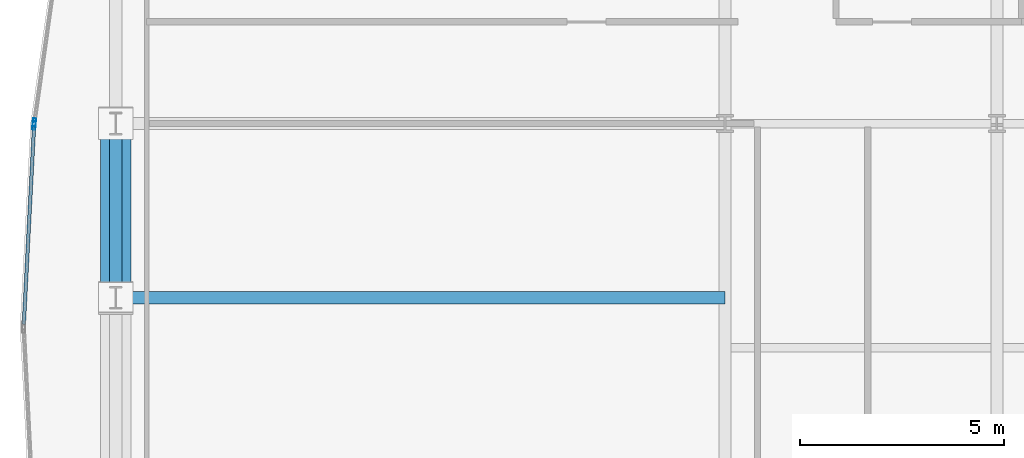
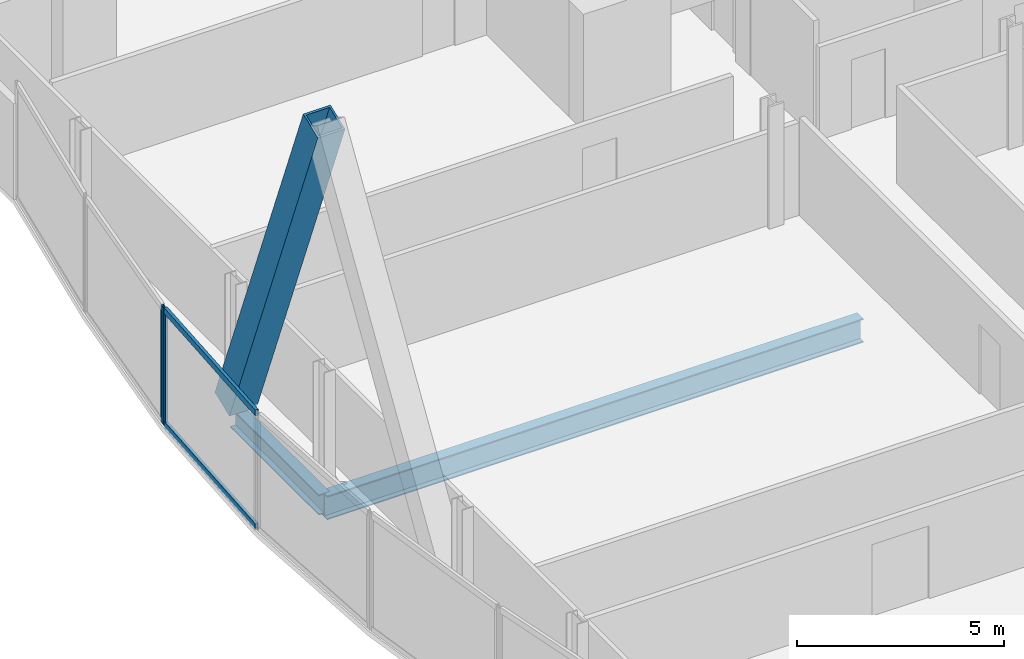
# One storey, part 11 of 33: 5 members, 2 beams, 2 elements without a shape of their own.
"""IFC4 building model written with IfcOpenShell, lengths in metres."""

import ifcopenshell
import ifcopenshell.guid

model = None  # the IFC model being written
_history = None  # IfcOwnerHistory: only IFC2X3 demands one
_inside = {}  # id of a spatial element -> (the spatial element, [elements in it])
_under = {}  # id of a project, library or spatial element -> (it, [spatial elements below it])
_declared = {}  # id of a project -> (the project, [libraries it declares])
_typed = {}  # id of a type object -> (the type object, [elements of that type])
_made_of = {}  # id of a material, layer set ... -> (it, [elements and type objects made of it])


def new_model(schema):
    """Start an empty IFC model of exactly this schema.

    Asked for "IFC4X3", IfcOpenShell would pick the latest addendum, in which some entities
    have other attributes; the version numbers below select the first issue.
    IFC2X3 requires an IfcOwnerHistory on every rooted entity: one is made here for all.
    """
    global model, _history
    if schema == "IFC4X3":
        model = ifcopenshell.file(schema_version=(4, 3, 0, 0))
    else:
        model = ifcopenshell.file(schema=schema)
    _inside.clear()
    _under.clear()
    _declared.clear()
    _typed.clear()
    _made_of.clear()
    _history = None
    if model.schema == "IFC2X3":
        org = make("IfcOrganization", Name="unknown")
        user = make(
            "IfcPersonAndOrganization",
            ThePerson=make("IfcPerson", FamilyName="unknown"),
            TheOrganization=org,
        )
        app = make(
            "IfcApplication",
            ApplicationDeveloper=org,
            Version="unknown",
            ApplicationFullName="unknown",
            ApplicationIdentifier="unknown",
        )
        _history = make(
            "IfcOwnerHistory",
            OwningUser=user,
            OwningApplication=app,
            ChangeAction="ADDED",
            CreationDate=0,
        )
    return model


def make(cls, **values):
    """One entity of the class cls with the attributes given. An attribute that is None is left unset."""
    return model.create_entity(
        cls, **{name: value for name, value in values.items() if value is not None}
    )


def rooted(cls, **values):
    """An entity with a GlobalId (a new one), such as an element, a storey or a relation."""
    return make(cls, GlobalId=ifcopenshell.guid.new(), OwnerHistory=_history, **values)


def si_unit(unit_type, name, prefix=None):
    """IfcSIUnit, for example si_unit("LENGTHUNIT", "METRE", prefix="MILLI")."""
    return make("IfcSIUnit", UnitType=unit_type, Prefix=prefix, Name=name)


def assignment(units):
    """IfcUnitAssignment: the units of a project."""
    return None if units is None else make("IfcUnitAssignment", Units=units)


def point(xyz):
    """IfcCartesianPoint."""
    return None if xyz is None else make("IfcCartesianPoint", Coordinates=xyz)


def direction(xyz):
    """IfcDirection."""
    return None if xyz is None else make("IfcDirection", DirectionRatios=xyz)


def frame(location, z_axis=None, x_axis=None):
    """IfcAxis2Placement3D, a coordinate frame: its origin and axes. An axis left out is left unset."""
    return make(
        "IfcAxis2Placement3D",
        Location=point(location),
        Axis=direction(z_axis),
        RefDirection=direction(x_axis),
    )


def frame_2d(location, x_axis=None):
    """IfcAxis2Placement2D, a coordinate frame in the plane: its origin and x axis."""
    return make(
        "IfcAxis2Placement2D", Location=point(location), RefDirection=direction(x_axis)
    )


def origin():
    """The frame at (0, 0, 0) with its axes left unset."""
    return frame((0.0, 0.0, 0.0))


def origin_2d():
    """The frame at (0, 0) in the plane with its x axis left unset."""
    return frame_2d((0.0, 0.0))


def place(relative_to, where):
    """IfcLocalPlacement: puts the frame where relative to a parent placement (None: the world)."""
    return make(
        "IfcLocalPlacement", PlacementRelTo=relative_to, RelativePlacement=where
    )


def context(
    kind, dimensions, precision=None, world=None, true_north=None, identifier=None
):
    """IfcGeometricRepresentationContext, for example the 3D "Model" context."""
    return make(
        "IfcGeometricRepresentationContext",
        ContextIdentifier=identifier,
        ContextType=kind,
        CoordinateSpaceDimension=dimensions,
        Precision=precision,
        WorldCoordinateSystem=world,
        TrueNorth=true_north,
    )


def subcontext(parent, identifier, kind, view, scale=None):
    """IfcGeometricRepresentationSubContext, for example "Body" below "Model"."""
    return make(
        "IfcGeometricRepresentationSubContext",
        ContextIdentifier=identifier,
        ContextType=kind,
        ParentContext=parent,
        TargetScale=scale,
        TargetView=view,
    )


def project(units=None, contexts=None):
    """IfcProject with its units and contexts."""
    return rooted(
        "IfcProject",
        Name="project",
        RepresentationContexts=contexts,
        UnitsInContext=assignment(units),
    )


def spatial(cls, under=None, at=None, **own):
    """A site, building, storey or space (cls), placed at a placement, below another one or the project."""
    s = rooted(cls, ObjectPlacement=at, **own)
    if under is not None:
        _under.setdefault(under.id(), (under, []))[1].append(s)
    return s


def profile(cls, at=None, kind="AREA", **sizes):
    """A parametric profile (cls). Its sizes go by their IFC names, for example OverallWidth=200.0."""
    return make(cls, ProfileType=kind, Position=at, **sizes)


def hollow_rectangle(**sizes):
    """IfcRectangleHollowProfileDef."""
    return profile("IfcRectangleHollowProfileDef", **sizes)


def i_section(**sizes):
    """IfcIShapeProfileDef."""
    return profile("IfcIShapeProfileDef", **sizes)


def extrude(swept, where, along, depth):
    """IfcExtrudedAreaSolid: the profile swept, set in the frame where, extruded along a direction by depth."""
    return make(
        "IfcExtrudedAreaSolid",
        SweptArea=swept,
        Position=where,
        ExtrudedDirection=direction(along),
        Depth=depth,
    )


def shape(context_of_items, identifier, shape_type, items):
    """IfcShapeRepresentation: the items that make up one representation, for example the "Body"."""
    return make(
        "IfcShapeRepresentation",
        ContextOfItems=context_of_items,
        RepresentationIdentifier=identifier,
        RepresentationType=shape_type,
        Items=items,
    )


def material(Name=None, Category=None):
    """IfcMaterial."""
    return make("IfcMaterial", Name=Name, Category=Category)


def material_profile(
    of_material, cross_section, Name=None, Category=None, Priority=None
):
    """IfcMaterialProfile: a cross section and its material."""
    return make(
        "IfcMaterialProfile",
        Name=Name,
        Material=of_material,
        Profile=cross_section,
        Priority=Priority,
        Category=Category,
    )


def profile_set(profiles, Name=None, composite=None):
    """IfcMaterialProfileSet."""
    return make(
        "IfcMaterialProfileSet",
        Name=Name,
        MaterialProfiles=profiles,
        CompositeProfile=composite,
    )


def made_of(thing, what):
    """Note that an element or type object is made of a material, layer set ...; save() writes the relation."""
    if what is not None:
        _made_of.setdefault(what.id(), (what, []))[1].append(thing)
    return thing


def type_object(cls, material=None, **own):
    """A type object (cls), such as IfcWallType, which elements share."""
    return made_of(rooted(cls, **own), material)


def element(
    cls,
    number,
    at=None,
    inside=None,
    cuts=None,
    type_object=None,
    material=None,
    context=None,
    identifier="Body",
    shape_type=None,
    held_by="IfcProductDefinitionShape",
    body=None,
    shapes=None,
    **own,
):
    """One element of the class cls, such as IfcWall. Its Tag is "e" and its number.

    at: its placement. inside: the storey or other place that contains it. cuts: it is an
    opening in that element (IfcRelVoidsElement). A single representation is given by context,
    identifier, shape_type and body (its items); several are given by shapes. held_by: the class
    of the entity that holds the representations. save() writes the other relations.
    """
    e = rooted(cls, Tag="e%d" % number, ObjectPlacement=at, **own)
    if body is not None:
        shapes = [shape(context, identifier, shape_type, body)]
    if shapes is not None:
        e.Representation = make(held_by, Representations=shapes)
    if inside is not None:
        _inside.setdefault(inside.id(), (inside, []))[1].append(e)
    if cuts is not None:
        rooted(
            "IfcRelVoidsElement", RelatingBuildingElement=cuts, RelatedOpeningElement=e
        )
    if type_object is not None:
        _typed.setdefault(type_object.id(), (type_object, []))[1].append(e)
    return made_of(e, material)


def aggregate(whole, parts):
    """IfcRelAggregates: a whole, such as a stair, and the parts it consists of."""
    return rooted("IfcRelAggregates", RelatingObject=whole, RelatedObjects=parts)


def save(model, path):
    """Write the relations noted so far, then the file.

    IfcRelAggregates (storeys below a building ...), IfcRelContainedInSpatialStructure (elements
    in a storey), IfcRelDefinesByType, IfcRelAssociatesMaterial and IfcRelDeclares: one each for
    every whole, place, type object, material and project.
    """
    for whole, parts in _under.values():
        aggregate(whole, parts)
    for where, things in _inside.values():
        rooted(
            "IfcRelContainedInSpatialStructure",
            RelatedElements=things,
            RelatingStructure=where,
        )
    for kind, things in _typed.values():
        rooted("IfcRelDefinesByType", RelatedObjects=things, RelatingType=kind)
    for what, things in _made_of.values():
        rooted("IfcRelAssociatesMaterial", RelatedObjects=things, RelatingMaterial=what)
    for by, libraries in _declared.values():
        rooted("IfcRelDeclares", RelatingContext=by, RelatedDefinitions=libraries)
    model.write(path)


model = new_model("IFC4")

# Units and contexts
model_context = context("Model", 3, precision=1e-05, world=origin(), true_north=direction((0.0, 1.0)))
body_context = subcontext(model_context, "Body", "Model", "MODEL_VIEW")
ifc_project = project(units=[si_unit("LENGTHUNIT", "METRE"), si_unit("AREAUNIT", "SQUARE_METRE"), si_unit("VOLUMEUNIT", "CUBIC_METRE"), si_unit("PLANEANGLEUNIT", "RADIAN"), si_unit("MASSUNIT", "GRAM", prefix="KILO")], contexts=[model_context])

# Site, building, storey
site_placement = place(None, origin())
site = spatial("IfcSite", under=ifc_project, at=site_placement, CompositionType="ELEMENT")
building_placement = place(site_placement, origin())
building = spatial("IfcBuilding", under=site, at=building_placement, Name="Khoronbel Lancet Exchange", CompositionType="ELEMENT")
storey_placement = place(building_placement, frame((0.0, 0.0, 118.199951171875)))
storey = spatial("IfcBuildingStorey", under=building, at=storey_placement, Name="L28", CompositionType="ELEMENT", Elevation=118.199951171875)

# Beams
ifc_material_1 = material(Name="Steel S355", Category="steel")
ifc_material_profile_1 = material_profile(ifc_material_1, i_section(OverallWidth=0.300048828125, OverallDepth=0.699951171875, WebThickness=0.01708984375, FlangeThickness=0.031982421875, at=origin_2d()), Name="HEB 700")
ifc_profile_set_1 = profile_set([ifc_material_profile_1], Name="Steel S355")
beam_type_1 = type_object("IfcBeamType", Name="BM-BG3", PredefinedType="BEAM", material=ifc_profile_set_1)
beam_1_placement = place(storey_placement, frame((3.27001953125, 31.425048828125, -0.510009765625), z_axis=(1.0, 0.0, 0.0), x_axis=(0.0, 1.0, 0.0)))
element("IfcBeam", 1, at=beam_1_placement, inside=storey, type_object=beam_type_1, Name="Level L28 west lens tie girder LG2W", PredefinedType="BEAM", context=body_context, shape_type="SweptSolid", body=[
    extrude(i_section(OverallWidth=0.300048828125, OverallDepth=0.699951171875, WebThickness=0.01708984375, FlangeThickness=0.031982421875, at=origin_2d()), origin(), (0.0, 0.0, 1.0), 14.955078125),
])
ifc_material_profile_2 = material_profile(ifc_material_1, i_section(OverallWidth=0.300048828125, OverallDepth=0.60009765625, WebThickness=0.015380859375, FlangeThickness=0.030029296875, at=origin_2d()), Name="HEB 600")
ifc_profile_set_2 = profile_set([ifc_material_profile_2], Name="Steel S355")
beam_type_2 = type_object("IfcBeamType", Name="BM-BSP2", PredefinedType="SPANDREL", material=ifc_profile_set_2)
beam_2_placement = place(storey_placement, frame((3.27001953125, 35.699951171875, -0.4599609375), z_axis=(0.0, -1.0, 0.0), x_axis=(1.0, 0.0, 0.0)))
element("IfcBeam", 2, at=beam_2_placement, inside=storey, type_object=beam_type_2, Name="Level L28 perimeter spandrel beam SP18", PredefinedType="SPANDREL", context=body_context, shape_type="SweptSolid", body=[
    extrude(i_section(OverallWidth=0.300048828125, OverallDepth=0.60009765625, WebThickness=0.015380859375, FlangeThickness=0.030029296875, at=origin_2d()), origin(), (0.0, 0.0, 1.0), 4.27490234375),
])

# Curtain wall, member
ifc_material_2 = material(Name="Low-E Solar Control Insulating Glass", Category="glass")
curtain_wall_type = type_object("IfcCurtainWallType", Name="CW-4", PredefinedType="NOTDEFINED", material=ifc_material_2)
curtain_wall_1_placement = place(storey_placement, origin())
curtain_wall_1 = element("IfcCurtainWall", 3, at=curtain_wall_1_placement, inside=storey, type_object=curtain_wall_type, Name="Unitised curtain wall CW-L28-E07", PredefinedType="NOTDEFINED")
ifc_material_3 = material(Name="Bronze-Anodised Aluminium 6063-T6", Category="aluminium")
ifc_material_profile_3 = material_profile(ifc_material_3, hollow_rectangle(XDim=0.074951171875, YDim=0.199951171875, WallThickness=0.0048828125, at=origin_2d()), Name="ALU MULLION 75x200")
ifc_profile_set_3 = profile_set([ifc_material_profile_3], Name="Bronze-Anodised Aluminium 6063-T6")
member_type_1 = type_object("IfcMemberType", Name="MEM-CWM2", PredefinedType="MULLION", material=ifc_profile_set_3)
member_1_placement = place(storey_placement, frame((1.265869140625, 35.654052734375, 0.0), z_axis=(0.0, 0.0, 1.0), x_axis=(-0.998664735798, 0.051659901994, 0.0)))
member_1 = element("IfcMember", 4, at=member_1_placement, type_object=member_type_1, Name="CW4 mullion 2", PredefinedType="MULLION", context=body_context, shape_type="SweptSolid", body=[
    extrude(hollow_rectangle(XDim=0.074951171875, YDim=0.199951171875, WallThickness=0.0048828125, at=origin_2d()), origin(), (0.0, 0.0, 1.0), 3.43994140625),
])

curtain_wall_2_placement = place(storey_placement, origin())
curtain_wall_2 = element("IfcCurtainWall", 5, at=curtain_wall_2_placement, inside=storey, type_object=curtain_wall_type, Name="Unitised curtain wall CW-L28-E08", PredefinedType="NOTDEFINED")
member_2_placement = place(storey_placement, frame((1.273193359375, 35.728515625, 0.0), z_axis=(0.0, 0.0, 1.0), x_axis=(-0.990162106971, 0.139924986756, 0.0)))
member_2 = element("IfcMember", 6, at=member_2_placement, type_object=member_type_1, Name="CW4 mullion 1", PredefinedType="MULLION", context=body_context, shape_type="SweptSolid", body=[
    extrude(hollow_rectangle(XDim=0.074951171875, YDim=0.199951171875, WallThickness=0.0048828125, at=origin_2d()), origin(), (0.0, 0.0, 1.0), 3.43994140625),
])
aggregate(curtain_wall_2, [member_2])

# Member
ifc_material_profile_4 = material_profile(ifc_material_3, hollow_rectangle(XDim=0.0849609375, YDim=0.179931640625, WallThickness=0.0048828125, at=origin_2d()), Name="ALU TRANSOM 85x180")
ifc_profile_set_4 = profile_set([ifc_material_profile_4], Name="Bronze-Anodised Aluminium 6063-T6")
member_type_2 = type_object("IfcMemberType", Name="MEM-CWT1", PredefinedType="USERDEFINED", material=ifc_profile_set_4)
member_3_placement = place(storey_placement, frame((1.013671875, 30.77490234375, 0.04248046875), z_axis=(0.051617849981, 0.998666910217, 0.0), x_axis=(-0.998666910217, 0.051617849981, 0.0)))
member_3 = element("IfcMember", 7, at=member_3_placement, type_object=member_type_2, Name="CW4 transom 1.1", ObjectType="TRANSOM", PredefinedType="USERDEFINED", context=body_context, shape_type="SweptSolid", body=[
    extrude(hollow_rectangle(XDim=0.0849609375, YDim=0.179931640625, WallThickness=0.0048828125, at=origin_2d()), origin(), (0.0, 0.0, 1.0), 4.847900390625),
])

member_4_placement = place(storey_placement, frame((1.013671875, 30.77490234375, 3.3974609375), z_axis=(0.051617849981, 0.998666910217, 0.0), x_axis=(-0.998666910217, 0.051617849981, 0.0)))
member_4 = element("IfcMember", 8, at=member_4_placement, type_object=member_type_2, Name="CW4 transom 1.2", ObjectType="TRANSOM", PredefinedType="USERDEFINED", context=body_context, shape_type="SweptSolid", body=[
    extrude(hollow_rectangle(XDim=0.0849609375, YDim=0.179931640625, WallThickness=0.0048828125, at=origin_2d()), origin(), (0.0, 0.0, 1.0), 4.847900390625),
])

aggregate(curtain_wall_1, [member_1, member_3, member_4])

ifc_material_4 = material(Name="Steel S460", Category="steel")
ifc_material_profile_5 = material_profile(ifc_material_4, hollow_rectangle(XDim=0.760009765625, YDim=0.760009765625, WallThickness=0.054931640625, at=origin_2d()), Name="BOX 760x760x55")
ifc_profile_set_5 = profile_set([ifc_material_profile_5], Name="Steel S460")
member_type_3 = type_object("IfcMemberType", Name="MEM-MB1", PredefinedType="BRACE", material=ifc_profile_set_5)
member_5_placement = place(storey_placement, frame((3.27001953125, 35.699951171875, 0.0), z_axis=(0.0, -0.368039743753, 0.929810059646), x_axis=(1.0, 0.0, 0.0)))
element("IfcMember", 9, at=member_5_placement, inside=storey, type_object=member_type_3, Name="Perimeter lancet brace tier 9 W-P-R", PredefinedType="BRACE", context=body_context, shape_type="SweptSolid", body=[
    extrude(hollow_rectangle(XDim=0.760009765625, YDim=0.760009765625, WallThickness=0.054931640625, at=origin_2d()), origin(), (0.0, 0.0, 1.0), 11.615234375),
])

save(model, "model.ifc")
